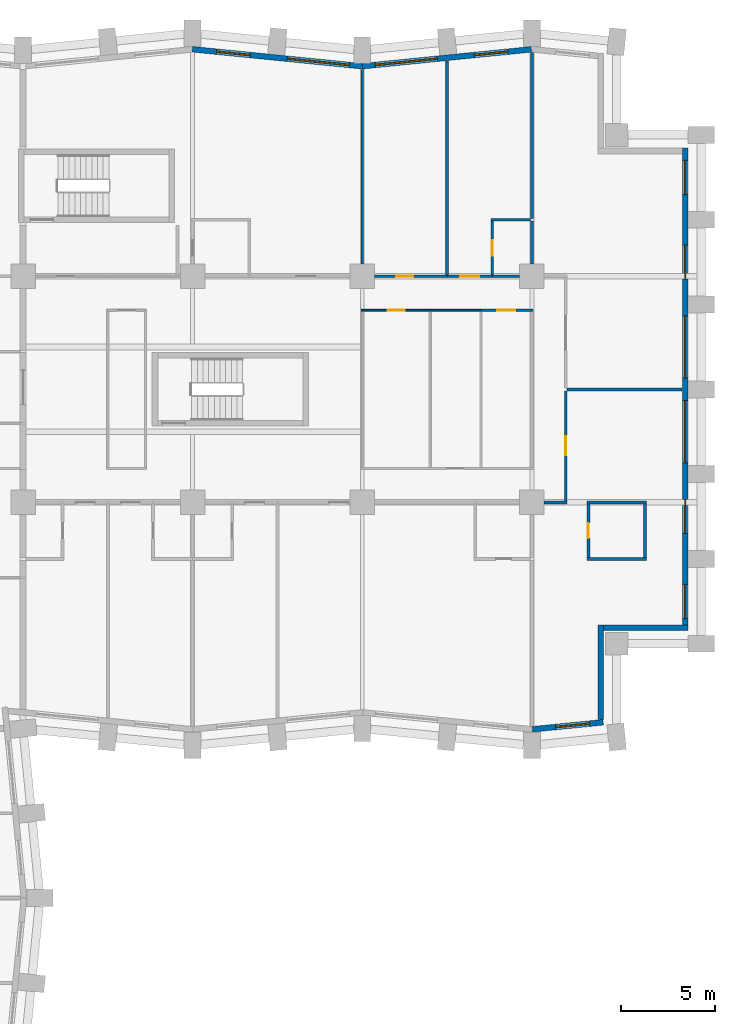
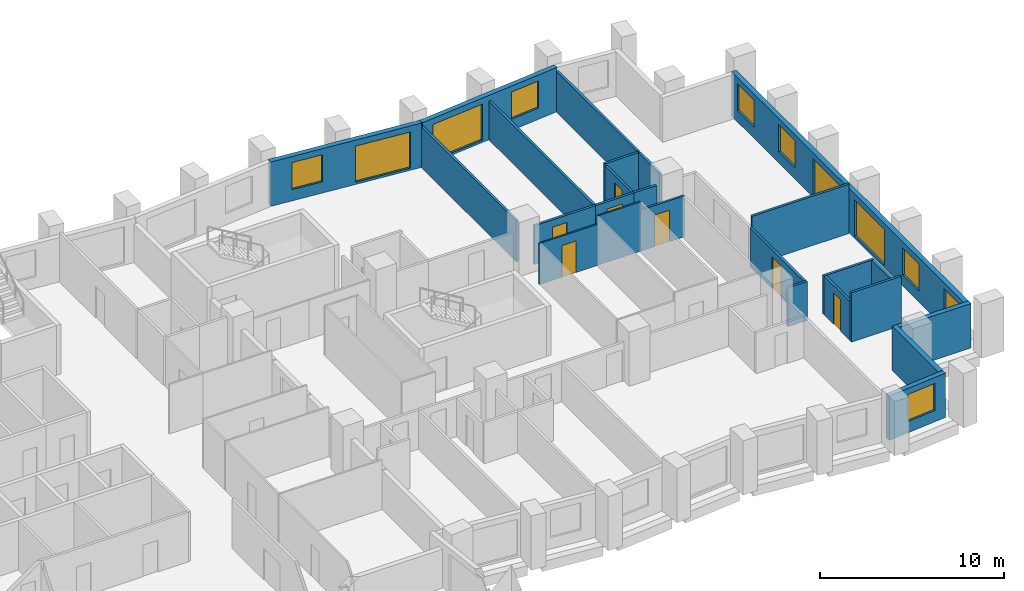
# One storey, part 9 of 12: 25 walls, 11 windows, 7 doors, 18 openings.
"""IFC4 building model written with IfcOpenShell, lengths in metres."""

from ifc_helpers import new_model, si_unit, direction, frame, frame_2d, origin, place, context, subcontext, project, spatial, rectangle, extrude, material, layer, layer_set, type_object, element, fill, save


model = new_model("IFC4")

# Units and contexts
model_context = context("Model", 3, precision=1e-05, world=origin(), true_north=direction((0.0, 1.0)))
body_context = subcontext(model_context, "Body", "Model", "MODEL_VIEW")
ifc_project = project(units=[si_unit("LENGTHUNIT", "METRE"), si_unit("AREAUNIT", "SQUARE_METRE"), si_unit("VOLUMEUNIT", "CUBIC_METRE"), si_unit("PLANEANGLEUNIT", "RADIAN"), si_unit("MASSUNIT", "GRAM", prefix="KILO")], contexts=[model_context])

# Site, building, storey
site_placement = place(None, origin())
site = spatial("IfcSite", under=ifc_project, at=site_placement, CompositionType="ELEMENT")
building_placement = place(site_placement, origin())
building = spatial("IfcBuilding", under=site, at=building_placement, Name="Brondeck Convention Tower", CompositionType="ELEMENT")
storey_placement = place(building_placement, frame((0.0, 0.0, 77.10009765625)))
storey = spatial("IfcBuildingStorey", under=building, at=storey_placement, Name="L17", CompositionType="ELEMENT", Elevation=77.10009765625)

# Wall, opening, window
ifc_material_1 = material(Name="Precast concrete C50/60 bronze finish", Category="concrete")
ifc_layer_1 = layer(ifc_material_1, 0.070068359375, Name="Bronze precast facing")
ifc_material_2 = material(Name="Mineral wool")
ifc_layer_2 = layer(ifc_material_2, 0.159912109375, Name="Insulation")
ifc_material_3 = material(Name="Concrete C35/45", Category="concrete")
ifc_layer_3 = layer(ifc_material_3, 0.070068359375, Name="Backing")
ifc_layer_set_1 = layer_set([ifc_layer_1, ifc_layer_2, ifc_layer_3], Name="External infill wall, precast concrete C50/60 bronze facing")
wall_type_1 = type_object("IfcWallType", Name="External infill wall, precast concrete C50/60 bronze facing", PredefinedType="SOLIDWALL", material=ifc_layer_set_1)
wall_1_placement = place(storey_placement, frame((66.78515625, 27.332763671875, 0.0), z_axis=(0.0, 0.0, 1.0), x_axis=(-0.995038471088, -0.099490909409, 0.0)))
wall_1 = element("IfcWall", 1, at=wall_1_placement, inside=storey, type_object=wall_type_1, Name="ENV-EW-L17-P0-A-S-06", PredefinedType="SOLIDWALL", context=body_context, shape_type="SweptSolid", body=[
    extrude(rectangle(XDim=3.774169921875, YDim=0.300048828125, at=frame_2d((1.88720703125, 0.0))), origin(), (0.0, 0.0, 1.0), 2.949951171875),
])
opening_1_placement = place(wall_1_placement, frame((0.727783203125, 0.0, 0.75)))
opening_1 = element("IfcOpeningElement", 2, at=opening_1_placement, cuts=wall_1, Name="Opening W10", PredefinedType="OPENING", context=body_context, shape_type="SweptSolid", body=[
    extrude(rectangle(XDim=1.800048828125, YDim=1.800048828125, at=frame_2d((0.89990234375, 0.89990234375))), frame((0.0, 0.159912109375, 0.0), z_axis=(0.0, -1.0, 0.0), x_axis=(1.0, 0.0, 0.0)), (0.0, 0.0, 1.0), 0.320068359375),
])
ifc_material_4 = material(Name="Bronze tinted double glazing", Category="glass")
window_type_1 = type_object("IfcWindowType", Name="Punched window, bronze tinted", PartitioningType="SINGLE_PANEL", PredefinedType="WINDOW", material=ifc_material_4)
window_1_placement = place(opening_1_placement, origin())
window_1 = element("IfcWindow", 3, at=window_1_placement, inside=storey, type_object=window_type_1, Name="ENV-WN-L17-P0-A-S-06", OverallHeight=1.800048828125, OverallWidth=1.800048828125, PartitioningType="SINGLE_PANEL", PredefinedType="WINDOW", context=body_context, shape_type="SweptSolid", body=[
    extrude(rectangle(XDim=1.800048828125, YDim=1.800048828125, at=frame_2d((0.89990234375, 0.89990234375))), frame((0.0, 0.030029296875, 0.0), z_axis=(0.0, -1.0, 0.0), x_axis=(1.0, 0.0, 0.0)), (0.0, 0.0, 1.0), 0.06005859375),
])
fill(opening_1, window_1)

# Walls
wall_2_placement = place(storey_placement, frame((66.64990234375, 32.5, 0.0), z_axis=(0.0, 0.0, 1.0), x_axis=(0.0, -1.0, 0.0)))
element("IfcWall", 4, at=wall_2_placement, inside=storey, type_object=wall_type_1, Name="ENV-EW-L17-P0-NC-SEA72-01", PredefinedType="SOLIDWALL", context=body_context, shape_type="SweptSolid", body=[
    extrude(rectangle(XDim=5.02880859375, YDim=0.300048828125, at=frame_2d((2.514404296875, 0.0))), origin(), (0.0, 0.0, 1.0), 2.949951171875),
])
wall_3_placement = place(storey_placement, frame((71.300048828125, 32.35009765625, 0.0), z_axis=(0.0, 0.0, 1.0), x_axis=(-1.0, 0.0, 0.0)))
element("IfcWall", 5, at=wall_3_placement, inside=storey, type_object=wall_type_1, Name="ENV-EW-L17-P0-NC-SEA72-02", PredefinedType="SOLIDWALL", context=body_context, shape_type="SweptSolid", body=[
    extrude(rectangle(XDim=4.5, YDim=0.300048828125, at=frame_2d((2.25, 0.0))), origin(), (0.0, 0.0, 1.0), 2.949951171875),
])

# Wall, openings, windows
wall_4_placement = place(storey_placement, frame((71.14990234375, 57.800048828125, 0.0), z_axis=(0.0, 0.0, 1.0), x_axis=(0.0, -1.0, 0.0)))
wall_4 = element("IfcWall", 6, at=wall_4_placement, inside=storey, type_object=wall_type_1, Name="ENV-EW-L17-P0-A-E72-01", PredefinedType="SOLIDWALL", context=body_context, shape_type="SweptSolid", body=[
    extrude(rectangle(XDim=25.302001953125, YDim=0.300048828125, at=frame_2d((12.65087890625, 0.0))), origin(), (0.0, 0.0, 1.0), 2.949951171875),
])
opening_2_placement = place(wall_4_placement, frame((0.64990234375, 0.0, 0.75)))
opening_2 = element("IfcOpeningElement", 7, at=opening_2_placement, cuts=wall_4, Name="Opening W10", PredefinedType="OPENING", context=body_context, shape_type="SweptSolid", body=[
    extrude(rectangle(XDim=1.800048828125, YDim=1.800048828125, at=frame_2d((0.89990234375, 0.89990234375))), frame((0.0, 0.159912109375, 0.0), z_axis=(0.0, -1.0, 0.0), x_axis=(1.0, 0.0, 0.0)), (0.0, 0.0, 1.0), 0.320068359375),
])
opening_3_placement = place(wall_4_placement, frame((5.14990234375, 0.0, 0.75)))
opening_3 = element("IfcOpeningElement", 8, at=opening_3_placement, cuts=wall_4, Name="Opening W10", PredefinedType="OPENING", context=body_context, shape_type="SweptSolid", body=[
    extrude(rectangle(XDim=1.800048828125, YDim=1.800048828125, at=frame_2d((0.89990234375, 0.89990234375))), frame((0.0, 0.159912109375, 0.0), z_axis=(0.0, -1.0, 0.0), x_axis=(1.0, 0.0, 0.0)), (0.0, 0.0, 1.0), 0.320068359375),
])
opening_4_placement = place(wall_4_placement, frame((8.89990234375, 0.0, 0.14990234375)))
opening_4 = element("IfcOpeningElement", 9, at=opening_4_placement, cuts=wall_4, Name="Opening W9", PredefinedType="OPENING", context=body_context, shape_type="SweptSolid", body=[
    extrude(rectangle(XDim=3.300048828125, YDim=2.39990234375, at=frame_2d((1.64990234375, 1.199951171875))), frame((0.0, 0.159912109375, 0.0), z_axis=(0.0, -1.0, 0.0), x_axis=(1.0, 0.0, 0.0)), (0.0, 0.0, 1.0), 0.320068359375),
])
opening_5_placement = place(wall_4_placement, frame((13.39990234375, 0.0, 0.14990234375)))
opening_5 = element("IfcOpeningElement", 10, at=opening_5_placement, cuts=wall_4, Name="Opening W9", PredefinedType="OPENING", context=body_context, shape_type="SweptSolid", body=[
    extrude(rectangle(XDim=3.300048828125, YDim=2.39990234375, at=frame_2d((1.64990234375, 1.199951171875))), frame((0.0, 0.159912109375, 0.0), z_axis=(0.0, -1.0, 0.0), x_axis=(1.0, 0.0, 0.0)), (0.0, 0.0, 1.0), 0.320068359375),
])
opening_6_placement = place(wall_4_placement, frame((18.64990234375, 0.0, 0.75)))
opening_6 = element("IfcOpeningElement", 11, at=opening_6_placement, cuts=wall_4, Name="Opening W10", PredefinedType="OPENING", context=body_context, shape_type="SweptSolid", body=[
    extrude(rectangle(XDim=1.800048828125, YDim=1.800048828125, at=frame_2d((0.89990234375, 0.89990234375))), frame((0.0, 0.159912109375, 0.0), z_axis=(0.0, -1.0, 0.0), x_axis=(1.0, 0.0, 0.0)), (0.0, 0.0, 1.0), 0.320068359375),
])
opening_7_placement = place(wall_4_placement, frame((23.14990234375, 0.0, 0.75)))
opening_7 = element("IfcOpeningElement", 12, at=opening_7_placement, cuts=wall_4, Name="Opening W10", PredefinedType="OPENING", context=body_context, shape_type="SweptSolid", body=[
    extrude(rectangle(XDim=1.800048828125, YDim=1.800048828125, at=frame_2d((0.89990234375, 0.89990234375))), frame((0.0, 0.159912109375, 0.0), z_axis=(0.0, -1.0, 0.0), x_axis=(1.0, 0.0, 0.0)), (0.0, 0.0, 1.0), 0.320068359375),
])
window_type_2 = type_object("IfcWindowType", Name="Glazed flute window, bronze tinted", PartitioningType="SINGLE_PANEL", PredefinedType="WINDOW", material=ifc_material_4)
window_2_placement = place(opening_4_placement, origin())
window_2 = element("IfcWindow", 13, at=window_2_placement, inside=storey, type_object=window_type_2, Name="ENV-WN-L17-P0-A-E72-04", OverallHeight=2.39990234375, OverallWidth=3.300048828125, PartitioningType="SINGLE_PANEL", PredefinedType="WINDOW", context=body_context, shape_type="SweptSolid", body=[
    extrude(rectangle(XDim=3.300048828125, YDim=2.39990234375, at=frame_2d((1.64990234375, 1.199951171875))), frame((0.0, 0.030029296875, 0.0), z_axis=(0.0, -1.0, 0.0), x_axis=(1.0, 0.0, 0.0)), (0.0, 0.0, 1.0), 0.06005859375),
])
fill(opening_4, window_2)
window_3_placement = place(opening_5_placement, origin())
window_3 = element("IfcWindow", 14, at=window_3_placement, inside=storey, type_object=window_type_2, Name="ENV-WN-L17-P0-A-E72-03", OverallHeight=2.39990234375, OverallWidth=3.300048828125, PartitioningType="SINGLE_PANEL", PredefinedType="WINDOW", context=body_context, shape_type="SweptSolid", body=[
    extrude(rectangle(XDim=3.300048828125, YDim=2.39990234375, at=frame_2d((1.64990234375, 1.199951171875))), frame((0.0, 0.030029296875, 0.0), z_axis=(0.0, -1.0, 0.0), x_axis=(1.0, 0.0, 0.0)), (0.0, 0.0, 1.0), 0.06005859375),
])
fill(opening_5, window_3)
window_4_placement = place(opening_2_placement, origin())
window_4 = element("IfcWindow", 15, at=window_4_placement, inside=storey, type_object=window_type_1, Name="ENV-WN-L17-P0-A-E72-06", OverallHeight=1.800048828125, OverallWidth=1.800048828125, PartitioningType="SINGLE_PANEL", PredefinedType="WINDOW", context=body_context, shape_type="SweptSolid", body=[
    extrude(rectangle(XDim=1.800048828125, YDim=1.800048828125, at=frame_2d((0.89990234375, 0.89990234375))), frame((0.0, 0.030029296875, 0.0), z_axis=(0.0, -1.0, 0.0), x_axis=(1.0, 0.0, 0.0)), (0.0, 0.0, 1.0), 0.06005859375),
])
fill(opening_2, window_4)
window_5_placement = place(opening_3_placement, origin())
window_5 = element("IfcWindow", 16, at=window_5_placement, inside=storey, type_object=window_type_1, Name="ENV-WN-L17-P0-A-E72-05", OverallHeight=1.800048828125, OverallWidth=1.800048828125, PartitioningType="SINGLE_PANEL", PredefinedType="WINDOW", context=body_context, shape_type="SweptSolid", body=[
    extrude(rectangle(XDim=1.800048828125, YDim=1.800048828125, at=frame_2d((0.89990234375, 0.89990234375))), frame((0.0, 0.030029296875, 0.0), z_axis=(0.0, -1.0, 0.0), x_axis=(1.0, 0.0, 0.0)), (0.0, 0.0, 1.0), 0.06005859375),
])
fill(opening_3, window_5)
window_6_placement = place(opening_6_placement, origin())
window_6 = element("IfcWindow", 17, at=window_6_placement, inside=storey, type_object=window_type_1, Name="ENV-WN-L17-P0-A-E72-02", OverallHeight=1.800048828125, OverallWidth=1.800048828125, PartitioningType="SINGLE_PANEL", PredefinedType="WINDOW", context=body_context, shape_type="SweptSolid", body=[
    extrude(rectangle(XDim=1.800048828125, YDim=1.800048828125, at=frame_2d((0.89990234375, 0.89990234375))), frame((0.0, 0.030029296875, 0.0), z_axis=(0.0, -1.0, 0.0), x_axis=(1.0, 0.0, 0.0)), (0.0, 0.0, 1.0), 0.06005859375),
])
fill(opening_6, window_6)
window_7_placement = place(opening_7_placement, origin())
window_7 = element("IfcWindow", 18, at=window_7_placement, inside=storey, type_object=window_type_1, Name="ENV-WN-L17-P0-A-E72-01", OverallHeight=1.800048828125, OverallWidth=1.800048828125, PartitioningType="SINGLE_PANEL", PredefinedType="WINDOW", context=body_context, shape_type="SweptSolid", body=[
    extrude(rectangle(XDim=1.800048828125, YDim=1.800048828125, at=frame_2d((0.89990234375, 0.89990234375))), frame((0.0, 0.030029296875, 0.0), z_axis=(0.0, -1.0, 0.0), x_axis=(1.0, 0.0, 0.0)), (0.0, 0.0, 1.0), 0.06005859375),
])
fill(opening_7, window_7)

wall_5_placement = place(storey_placement, frame((53.985107421875, 62.144287109375, 0.0), z_axis=(0.0, 0.0, 1.0), x_axis=(0.995037993253, 0.099495688264, 0.0)))
wall_5 = element("IfcWall", 19, at=wall_5_placement, inside=storey, type_object=wall_type_1, Name="ENV-EW-L17-P0-A-N-13", PredefinedType="SOLIDWALL", context=body_context, shape_type="SweptSolid", body=[
    extrude(rectangle(XDim=9.030029296875, YDim=0.300048828125, at=frame_2d((4.51513671875, 0.0))), origin(), (0.0, 0.0, 1.0), 2.949951171875),
])
opening_8_placement = place(wall_5_placement, frame((0.711181640625, 0.0, 0.14990234375)))
opening_8 = element("IfcOpeningElement", 20, at=opening_8_placement, cuts=wall_5, Name="Opening W9", PredefinedType="OPENING", context=body_context, shape_type="SweptSolid", body=[
    extrude(rectangle(XDim=3.300048828125, YDim=2.39990234375, at=frame_2d((1.64990234375, 1.199951171875))), frame((0.0, 0.159912109375, 0.0), z_axis=(0.0, -1.0, 0.0), x_axis=(1.0, 0.0, 0.0)), (0.0, 0.0, 1.0), 0.320068359375),
])
opening_9_placement = place(wall_5_placement, frame((5.983642578125, 0.0, 0.75)))
opening_9 = element("IfcOpeningElement", 21, at=opening_9_placement, cuts=wall_5, Name="Opening W10", PredefinedType="OPENING", context=body_context, shape_type="SweptSolid", body=[
    extrude(rectangle(XDim=1.800048828125, YDim=1.800048828125, at=frame_2d((0.89990234375, 0.89990234375))), frame((0.0, 0.159912109375, 0.0), z_axis=(0.0, -1.0, 0.0), x_axis=(1.0, 0.0, 0.0)), (0.0, 0.0, 1.0), 0.320068359375),
])
window_8_placement = place(opening_8_placement, origin())
window_8 = element("IfcWindow", 22, at=window_8_placement, inside=storey, type_object=window_type_2, Name="ENV-WN-L17-P0-A-N-12", OverallHeight=2.39990234375, OverallWidth=3.300048828125, PartitioningType="SINGLE_PANEL", PredefinedType="WINDOW", context=body_context, shape_type="SweptSolid", body=[
    extrude(rectangle(XDim=3.300048828125, YDim=2.39990234375, at=frame_2d((1.64990234375, 1.199951171875))), frame((0.0, 0.030029296875, 0.0), z_axis=(0.0, -1.0, 0.0), x_axis=(1.0, 0.0, 0.0)), (0.0, 0.0, 1.0), 0.06005859375),
])
fill(opening_8, window_8)
window_9_placement = place(opening_9_placement, origin())
window_9 = element("IfcWindow", 23, at=window_9_placement, inside=storey, type_object=window_type_1, Name="ENV-WN-L17-P0-A-N-13", OverallHeight=1.800048828125, OverallWidth=1.800048828125, PartitioningType="SINGLE_PANEL", PredefinedType="WINDOW", context=body_context, shape_type="SweptSolid", body=[
    extrude(rectangle(XDim=1.800048828125, YDim=1.800048828125, at=frame_2d((0.89990234375, 0.89990234375))), frame((0.0, 0.030029296875, 0.0), z_axis=(0.0, -1.0, 0.0), x_axis=(1.0, 0.0, 0.0)), (0.0, 0.0, 1.0), 0.06005859375),
])
fill(opening_9, window_9)

wall_6_placement = place(storey_placement, frame((44.985107421875, 63.04736328125, 0.0), z_axis=(0.0, 0.0, 1.0), x_axis=(0.995035316196, -0.099522457379, 0.0)))
wall_6 = element("IfcWall", 24, at=wall_6_placement, inside=storey, type_object=wall_type_1, Name="ENV-EW-L17-P0-A-N-11", PredefinedType="SOLIDWALL", context=body_context, shape_type="SweptSolid", body=[
    extrude(rectangle(XDim=9.030029296875, YDim=0.300048828125, at=frame_2d((4.51513671875, 0.0))), origin(), (0.0, 0.0, 1.0), 2.949951171875),
])
opening_10_placement = place(wall_6_placement, frame((1.291259765625, 0.0, 0.75)))
opening_10 = element("IfcOpeningElement", 25, at=opening_10_placement, cuts=wall_6, Name="Opening W10", PredefinedType="OPENING", context=body_context, shape_type="SweptSolid", body=[
    extrude(rectangle(XDim=1.800048828125, YDim=1.800048828125, at=frame_2d((0.89990234375, 0.89990234375))), frame((0.0, 0.159912109375, 0.0), z_axis=(0.0, -1.0, 0.0), x_axis=(1.0, 0.0, 0.0)), (0.0, 0.0, 1.0), 0.320068359375),
])
opening_11_placement = place(wall_6_placement, frame((5.063720703125, 0.0, 0.14990234375)))
opening_11 = element("IfcOpeningElement", 26, at=opening_11_placement, cuts=wall_6, Name="Opening W9", PredefinedType="OPENING", context=body_context, shape_type="SweptSolid", body=[
    extrude(rectangle(XDim=3.300048828125, YDim=2.39990234375, at=frame_2d((1.64990234375, 1.199951171875))), frame((0.0, 0.159912109375, 0.0), z_axis=(0.0, -1.0, 0.0), x_axis=(1.0, 0.0, 0.0)), (0.0, 0.0, 1.0), 0.320068359375),
])
window_10_placement = place(opening_11_placement, origin())
window_10 = element("IfcWindow", 27, at=window_10_placement, inside=storey, type_object=window_type_2, Name="ENV-WN-L17-P0-A-N-11", OverallHeight=2.39990234375, OverallWidth=3.300048828125, PartitioningType="SINGLE_PANEL", PredefinedType="WINDOW", context=body_context, shape_type="SweptSolid", body=[
    extrude(rectangle(XDim=3.300048828125, YDim=2.39990234375, at=frame_2d((1.64990234375, 1.199951171875))), frame((0.0, 0.030029296875, 0.0), z_axis=(0.0, -1.0, 0.0), x_axis=(1.0, 0.0, 0.0)), (0.0, 0.0, 1.0), 0.06005859375),
])
fill(opening_11, window_10)
window_11_placement = place(opening_10_placement, origin())
window_11 = element("IfcWindow", 28, at=window_11_placement, inside=storey, type_object=window_type_1, Name="ENV-WN-L17-P0-A-N-10", OverallHeight=1.800048828125, OverallWidth=1.800048828125, PartitioningType="SINGLE_PANEL", PredefinedType="WINDOW", context=body_context, shape_type="SweptSolid", body=[
    extrude(rectangle(XDim=1.800048828125, YDim=1.800048828125, at=frame_2d((0.89990234375, 0.89990234375))), frame((0.0, 0.030029296875, 0.0), z_axis=(0.0, -1.0, 0.0), x_axis=(1.0, 0.0, 0.0)), (0.0, 0.0, 1.0), 0.06005859375),
])
fill(opening_10, window_11)

# Walls
ifc_material_5 = material(Name="Double gypsum board acoustic wall")
ifc_layer_4 = layer(ifc_material_5, 0.14990234375)
ifc_layer_set_2 = layer_set([ifc_layer_4], Name="Guest room party wall 150")
wall_type_2 = type_object("IfcWallType", Name="Guest room party wall 150", PredefinedType="PARTITIONING", material=ifc_layer_set_2)
wall_7_placement = place(storey_placement, frame((65.925048828125, 36.0, 0.0), z_axis=(0.0, 0.0, 1.0), x_axis=(1.0, 0.0, 0.0)))
element("IfcWall", 29, at=wall_7_placement, inside=storey, type_object=wall_type_2, Name="FLR-L17-W055", PredefinedType="PARTITIONING", context=body_context, shape_type="SweptSolid", body=[
    extrude(rectangle(XDim=3.14990234375, YDim=0.14990234375, at=frame_2d((1.574951171875, 0.0))), origin(), (0.0, 0.0, 1.0), 3.27978515625),
])
wall_8_placement = place(storey_placement, frame((69.0, 36.074951171875, 0.0), z_axis=(0.0, 0.0, 1.0), x_axis=(0.0, 1.0, 0.0)))
element("IfcWall", 30, at=wall_8_placement, inside=storey, type_object=wall_type_2, Name="FLR-L17-W058", PredefinedType="PARTITIONING", context=body_context, shape_type="SweptSolid", body=[
    extrude(rectangle(XDim=2.85009765625, YDim=0.14990234375, at=frame_2d((1.425048828125, 0.0))), origin(), (0.0, 0.0, 1.0), 2.579833984375),
])

# Wall, opening, door
wall_9_placement = place(storey_placement, frame((66.0, 38.925048828125, 0.0), z_axis=(0.0, 0.0, 1.0), x_axis=(0.0, -1.0, 0.0)))
wall_9 = element("IfcWall", 31, at=wall_9_placement, inside=storey, type_object=wall_type_2, Name="FLR-L17-W066", PredefinedType="PARTITIONING", context=body_context, shape_type="SweptSolid", body=[
    extrude(rectangle(XDim=2.85009765625, YDim=0.14990234375, at=frame_2d((1.425048828125, 0.0))), origin(), (0.0, 0.0, 1.0), 2.579833984375),
])
opening_12_placement = place(wall_9_placement, frame((1.02490234375, 0.0, 0.0)))
opening_12 = element("IfcOpeningElement", 32, at=opening_12_placement, cuts=wall_9, Name="Opening H5-021", PredefinedType="OPENING", context=body_context, shape_type="SweptSolid", body=[
    extrude(rectangle(XDim=0.800048828125, YDim=2.10009765625, at=frame_2d((0.39990234375, 1.050048828125))), frame((0.0, 0.0849609375, 0.0), z_axis=(0.0, -1.0, 0.0), x_axis=(1.0, 0.0, 0.0)), (0.0, 0.0, 1.0), 0.169921875),
])
ifc_material_6 = material(Name="Solid timber door leaf", Category="wood")
door_type_1 = type_object("IfcDoorType", Name="En-suite door 800", OperationType="NOTDEFINED", PredefinedType="DOOR", material=ifc_material_6)
door_1_placement = place(opening_12_placement, origin())
door_1 = element("IfcDoor", 33, at=door_1_placement, inside=storey, type_object=door_type_1, Name="Door H5-021", OperationType="SINGLE_SWING_RIGHT", OverallHeight=2.10009765625, OverallWidth=0.800048828125, PredefinedType="DOOR", context=body_context, shape_type="SweptSolid", body=[
    extrude(rectangle(XDim=0.800048828125, YDim=2.10009765625, at=frame_2d((0.39990234375, 1.050048828125))), frame((0.0, 0.02490234375, 0.0), z_axis=(0.0, -1.0, 0.0), x_axis=(1.0, 0.0, 0.0)), (0.0, 0.0, 1.0), 0.050048828125),
])
fill(opening_12, door_1)

# Walls
wall_10_placement = place(storey_placement, frame((64.875, 39.0, 0.0), z_axis=(0.0, 0.0, 1.0), x_axis=(-1.0, 0.0, 0.0)))
element("IfcWall", 34, at=wall_10_placement, inside=storey, type_object=wall_type_2, Name="FLR-L17-W076", PredefinedType="PARTITIONING", context=body_context, shape_type="SweptSolid", body=[
    extrude(rectangle(XDim=1.219970703125, YDim=0.14990234375, at=frame_2d((0.60986328125, 0.0))), origin(), (0.0, 0.0, 1.0), 2.579833984375),
])
wall_11_placement = place(storey_placement, frame((69.074951171875, 39.0, 0.0), z_axis=(0.0, 0.0, 1.0), x_axis=(-1.0, 0.0, 0.0)))
element("IfcWall", 35, at=wall_11_placement, inside=storey, type_object=wall_type_2, Name="FLR-L17-W077", PredefinedType="PARTITIONING", context=body_context, shape_type="SweptSolid", body=[
    extrude(rectangle(XDim=3.14990234375, YDim=0.14990234375, at=frame_2d((1.574951171875, 0.0))), origin(), (0.0, 0.0, 1.0), 2.579833984375),
])

# Wall, opening, door
wall_12_placement = place(storey_placement, frame((64.800048828125, 44.925048828125, 0.0), z_axis=(0.0, 0.0, 1.0), x_axis=(0.0, -1.0, 0.0)))
wall_12 = element("IfcWall", 36, at=wall_12_placement, inside=storey, type_object=wall_type_2, Name="FLR-L17-W089", PredefinedType="PARTITIONING", context=body_context, shape_type="SweptSolid", body=[
    extrude(rectangle(XDim=5.85009765625, YDim=0.14990234375, at=frame_2d((2.925048828125, 0.0))), origin(), (0.0, 0.0, 1.0), 2.579833984375),
])
opening_13_placement = place(wall_12_placement, frame((2.425048828125, 0.0, 0.0)))
opening_13 = element("IfcOpeningElement", 37, at=opening_13_placement, cuts=wall_12, Name="Opening H5-020", PredefinedType="OPENING", context=body_context, shape_type="SweptSolid", body=[
    extrude(rectangle(XDim=1.0, YDim=2.10009765625, at=frame_2d((0.5, 1.050048828125))), frame((0.0, 0.0849609375, 0.0), z_axis=(0.0, -1.0, 0.0), x_axis=(1.0, 0.0, 0.0)), (0.0, 0.0, 1.0), 0.169921875),
])
ifc_material_7 = material(Name="Solid timber fire door leaf", Category="wood")
door_type_2 = type_object("IfcDoorType", Name="Guest room door 1000", OperationType="NOTDEFINED", PredefinedType="DOOR", material=ifc_material_7)
door_2_placement = place(opening_13_placement, origin())
door_2 = element("IfcDoor", 38, at=door_2_placement, inside=storey, type_object=door_type_2, Name="Door H5-020", OperationType="SINGLE_SWING_LEFT", OverallHeight=2.10009765625, OverallWidth=1.0, PredefinedType="DOOR", context=body_context, shape_type="SweptSolid", body=[
    extrude(rectangle(XDim=1.0, YDim=2.10009765625, at=frame_2d((0.5, 1.050048828125))), frame((0.0, 0.02490234375, 0.0), z_axis=(0.0, -1.0, 0.0), x_axis=(1.0, 0.0, 0.0)), (0.0, 0.0, 1.0), 0.050048828125),
])
fill(opening_13, door_2)

# Wall
wall_13_placement = place(storey_placement, frame((70.97998046875, 45.0, 0.0), z_axis=(0.0, 0.0, 1.0), x_axis=(-1.0, 0.0, 0.0)))
element("IfcWall", 39, at=wall_13_placement, inside=storey, type_object=wall_type_2, Name="FLR-L17-W090", PredefinedType="PARTITIONING", context=body_context, shape_type="SweptSolid", body=[
    extrude(rectangle(XDim=6.10498046875, YDim=0.14990234375, at=frame_2d((3.052490234375, 0.0))), origin(), (0.0, 0.0, 1.0), 3.27978515625),
])

# Wall, opening, door
wall_14_placement = place(storey_placement, frame((54.655029296875, 51.0, 0.0), z_axis=(0.0, 0.0, 1.0), x_axis=(1.0, 0.0, 0.0)))
wall_14 = element("IfcWall", 40, at=wall_14_placement, inside=storey, type_object=wall_type_2, Name="FLR-L17-W112", PredefinedType="PARTITIONING", context=body_context, shape_type="SweptSolid", body=[
    extrude(rectangle(XDim=3.844970703125, YDim=0.14990234375, at=frame_2d((1.92236328125, 0.0))), origin(), (0.0, 0.0, 1.0), 2.579833984375),
])
opening_14_placement = place(wall_14_placement, frame((1.14501953125, 0.0, 0.0)))
opening_14 = element("IfcOpeningElement", 41, at=opening_14_placement, cuts=wall_14, Name="Opening H5-004", PredefinedType="OPENING", context=body_context, shape_type="SweptSolid", body=[
    extrude(rectangle(XDim=0.89990234375, YDim=2.10009765625, at=frame_2d((0.449951171875, 1.050048828125))), frame((0.0, 0.0849609375, 0.0), z_axis=(0.0, -1.0, 0.0), x_axis=(1.0, 0.0, 0.0)), (0.0, 0.0, 1.0), 0.169921875),
])
door_type_3 = type_object("IfcDoorType", Name="Single door 900", OperationType="NOTDEFINED", PredefinedType="DOOR", material=ifc_material_6)
door_3_placement = place(opening_14_placement, origin())
door_3 = element("IfcDoor", 42, at=door_3_placement, inside=storey, type_object=door_type_3, Name="Door H5-004", OperationType="SINGLE_SWING_LEFT", OverallHeight=2.10009765625, OverallWidth=0.89990234375, PredefinedType="DOOR", context=body_context, shape_type="SweptSolid", body=[
    extrude(rectangle(XDim=0.89990234375, YDim=2.10009765625, at=frame_2d((0.449951171875, 1.050048828125))), frame((0.0, 0.02490234375, 0.0), z_axis=(0.0, -1.0, 0.0), x_axis=(1.0, 0.0, 0.0)), (0.0, 0.0, 1.0), 0.050048828125),
])
fill(opening_14, door_3)

wall_15_placement = place(storey_placement, frame((58.5, 51.0, 0.0), z_axis=(0.0, 0.0, 1.0), x_axis=(1.0, 0.0, 0.0)))
wall_15 = element("IfcWall", 43, at=wall_15_placement, inside=storey, type_object=wall_type_2, Name="FLR-L17-W113", PredefinedType="PARTITIONING", context=body_context, shape_type="SweptSolid", body=[
    extrude(rectangle(XDim=2.39990234375, YDim=0.14990234375, at=frame_2d((1.199951171875, 0.0))), origin(), (0.0, 0.0, 1.0), 2.579833984375),
])
opening_15_placement = place(wall_15_placement, frame((0.699951171875, 0.0, 0.0)))
opening_15 = element("IfcOpeningElement", 44, at=opening_15_placement, cuts=wall_15, Name="Opening H5-005", PredefinedType="OPENING", context=body_context, shape_type="SweptSolid", body=[
    extrude(rectangle(XDim=1.0, YDim=2.10009765625, at=frame_2d((0.5, 1.050048828125))), frame((0.0, 0.0849609375, 0.0), z_axis=(0.0, -1.0, 0.0), x_axis=(1.0, 0.0, 0.0)), (0.0, 0.0, 1.0), 0.169921875),
])
door_4_placement = place(opening_15_placement, origin())
door_4 = element("IfcDoor", 45, at=door_4_placement, inside=storey, type_object=door_type_2, Name="Door H5-005", OperationType="SINGLE_SWING_LEFT", OverallHeight=2.10009765625, OverallWidth=1.0, PredefinedType="DOOR", context=body_context, shape_type="SweptSolid", body=[
    extrude(rectangle(XDim=1.0, YDim=2.10009765625, at=frame_2d((0.5, 1.050048828125))), frame((0.0, 0.02490234375, 0.0), z_axis=(0.0, -1.0, 0.0), x_axis=(1.0, 0.0, 0.0)), (0.0, 0.0, 1.0), 0.050048828125),
])
fill(opening_15, door_4)

# Wall
wall_16_placement = place(storey_placement, frame((60.89990234375, 51.0, 0.0), z_axis=(0.0, 0.0, 1.0), x_axis=(1.0, 0.0, 0.0)))
element("IfcWall", 46, at=wall_16_placement, inside=storey, type_object=wall_type_2, Name="FLR-L17-W114", PredefinedType="PARTITIONING", context=body_context, shape_type="SweptSolid", body=[
    extrude(rectangle(XDim=1.445068359375, YDim=0.14990234375, at=frame_2d((0.72265625, 0.0))), origin(), (0.0, 0.0, 1.0), 2.579833984375),
])

# Wall, opening, door
wall_17_placement = place(storey_placement, frame((60.89990234375, 53.925048828125, 0.0), z_axis=(0.0, 0.0, 1.0), x_axis=(0.0, -1.0, 0.0)))
wall_17 = element("IfcWall", 47, at=wall_17_placement, inside=storey, type_object=wall_type_2, Name="FLR-L17-W122", PredefinedType="PARTITIONING", context=body_context, shape_type="SweptSolid", body=[
    extrude(rectangle(XDim=2.85009765625, YDim=0.14990234375, at=frame_2d((1.425048828125, 0.0))), origin(), (0.0, 0.0, 1.0), 2.579833984375),
])
opening_16_placement = place(wall_17_placement, frame((1.02490234375, 0.0, 0.0)))
opening_16 = element("IfcOpeningElement", 48, at=opening_16_placement, cuts=wall_17, Name="Opening H5-006", PredefinedType="OPENING", context=body_context, shape_type="SweptSolid", body=[
    extrude(rectangle(XDim=0.800048828125, YDim=2.10009765625, at=frame_2d((0.39990234375, 1.050048828125))), frame((0.0, 0.0849609375, 0.0), z_axis=(0.0, -1.0, 0.0), x_axis=(1.0, 0.0, 0.0)), (0.0, 0.0, 1.0), 0.169921875),
])
door_5_placement = place(opening_16_placement, origin())
door_5 = element("IfcDoor", 49, at=door_5_placement, inside=storey, type_object=door_type_1, Name="Door H5-006", OperationType="SINGLE_SWING_LEFT", OverallHeight=2.10009765625, OverallWidth=0.800048828125, PredefinedType="DOOR", context=body_context, shape_type="SweptSolid", body=[
    extrude(rectangle(XDim=0.800048828125, YDim=2.10009765625, at=frame_2d((0.39990234375, 1.050048828125))), frame((0.0, 0.02490234375, 0.0), z_axis=(0.0, -1.0, 0.0), x_axis=(1.0, 0.0, 0.0)), (0.0, 0.0, 1.0), 0.050048828125),
])
fill(opening_16, door_5)

# Walls
wall_18_placement = place(storey_placement, frame((63.0, 53.925048828125, 0.0), z_axis=(0.0, 0.0, 1.0), x_axis=(0.0, -1.0, 0.0)))
element("IfcWall", 50, at=wall_18_placement, inside=storey, type_object=wall_type_2, Name="FLR-L17-W123", PredefinedType="PARTITIONING", context=body_context, shape_type="SweptSolid", body=[
    extrude(rectangle(XDim=2.27001953125, YDim=0.14990234375, at=frame_2d((1.135009765625, 0.0))), origin(), (0.0, 0.0, 1.0), 2.72998046875),
])
wall_19_placement = place(storey_placement, frame((62.925048828125, 54.0, 0.0), z_axis=(0.0, 0.0, 1.0), x_axis=(-1.0, 0.0, 0.0)))
element("IfcWall", 51, at=wall_19_placement, inside=storey, type_object=wall_type_2, Name="FLR-L17-W126", PredefinedType="PARTITIONING", context=body_context, shape_type="SweptSolid", body=[
    extrude(rectangle(XDim=2.10009765625, YDim=0.14990234375, at=frame_2d((1.050048828125, 0.0))), origin(), (0.0, 0.0, 1.0), 2.72998046875),
])
wall_20_placement = place(storey_placement, frame((54.0, 61.97509765625, 0.0), z_axis=(0.0, 0.0, 1.0), x_axis=(0.0, -1.0, 0.0)))
element("IfcWall", 52, at=wall_20_placement, inside=storey, type_object=wall_type_2, Name="FLR-L17-W128", PredefinedType="PARTITIONING", context=body_context, shape_type="SweptSolid", body=[
    extrude(rectangle(XDim=10.320068359375, YDim=0.14990234375, at=frame_2d((5.16015625, 0.0))), origin(), (0.0, 0.0, 1.0), 2.72998046875),
])
wall_21_placement = place(storey_placement, frame((58.5, 62.425048828125, 0.0), z_axis=(0.0, 0.0, 1.0), x_axis=(0.0, -1.0, 0.0)))
element("IfcWall", 53, at=wall_21_placement, inside=storey, type_object=wall_type_2, Name="FLR-L17-W130", PredefinedType="PARTITIONING", context=body_context, shape_type="SweptSolid", body=[
    extrude(rectangle(XDim=11.35009765625, YDim=0.14990234375, at=frame_2d((5.675048828125, 0.0))), origin(), (0.0, 0.0, 1.0), 2.579833984375),
])
wall_22_placement = place(storey_placement, frame((63.0, 62.875, 0.0), z_axis=(0.0, 0.0, 1.0), x_axis=(0.0, -1.0, 0.0)))
element("IfcWall", 54, at=wall_22_placement, inside=storey, type_object=wall_type_2, Name="FLR-L17-W131", PredefinedType="PARTITIONING", context=body_context, shape_type="SweptSolid", body=[
    extrude(rectangle(XDim=8.800048828125, YDim=0.14990234375, at=frame_2d((4.39990234375, 0.0))), origin(), (0.0, 0.0, 1.0), 2.72998046875),
])

# Wall, opening, door
ifc_material_8 = material(Name="Gypsum board shaft wall on steel studs", Category="steel")
ifc_layer_5 = layer(ifc_material_8, 0.125)
ifc_layer_set_3 = layer_set([ifc_layer_5], Name="Riser wall 125")
wall_type_3 = type_object("IfcWallType", Name="Riser wall 125", PredefinedType="PARTITIONING", material=ifc_layer_set_3)
wall_23_placement = place(storey_placement, frame((63.0625, 49.199951171875, 0.0), z_axis=(0.0, 0.0, 1.0), x_axis=(-1.0, 0.0, 0.0)))
wall_23 = element("IfcWall", 55, at=wall_23_placement, inside=storey, type_object=wall_type_3, Name="FLR-L17-W102", PredefinedType="PARTITIONING", context=body_context, shape_type="SweptSolid", body=[
    extrude(rectangle(XDim=2.762451171875, YDim=0.125, at=frame_2d((1.38134765625, 0.0))), origin(), (0.0, 0.0, 1.0), 2.72998046875),
])
opening_17_placement = place(wall_23_placement, frame((0.9375, 0.0, 0.0)))
opening_17 = element("IfcOpeningElement", 56, at=opening_17_placement, cuts=wall_23, Name="Opening H5-018", PredefinedType="OPENING", context=body_context, shape_type="SweptSolid", body=[
    extrude(rectangle(XDim=0.949951171875, YDim=2.10009765625, at=frame_2d((0.47509765625, 1.050048828125))), frame((0.0, 0.072509765625, 0.0), z_axis=(0.0, -1.0, 0.0), x_axis=(1.0, 0.0, 0.0)), (0.0, 0.0, 1.0), 0.14501953125),
])
door_type_4 = type_object("IfcDoorType", Name="Accessible door 950", OperationType="NOTDEFINED", PredefinedType="DOOR", material=ifc_material_6)
door_6_placement = place(opening_17_placement, origin())
door_6 = element("IfcDoor", 57, at=door_6_placement, inside=storey, type_object=door_type_4, Name="Door H5-018", OperationType="SINGLE_SWING_LEFT", OverallHeight=2.10009765625, OverallWidth=0.949951171875, PredefinedType="DOOR", context=body_context, shape_type="SweptSolid", body=[
    extrude(rectangle(XDim=0.949951171875, YDim=2.10009765625, at=frame_2d((0.47509765625, 1.050048828125))), frame((0.0, 0.02490234375, 0.0), z_axis=(0.0, -1.0, 0.0), x_axis=(1.0, 0.0, 0.0)), (0.0, 0.0, 1.0), 0.050048828125),
])
fill(opening_17, door_6)

ifc_material_9 = material(Name="Gypsum board partition on steel studs", Category="steel")
ifc_layer_6 = layer(ifc_material_9, 0.10009765625)
ifc_layer_set_4 = layer_set([ifc_layer_6], Name="Room partition 100")
wall_type_4 = type_object("IfcWallType", Name="Room partition 100", PredefinedType="PARTITIONING", material=ifc_layer_set_4)
wall_24_placement = place(storey_placement, frame((57.60009765625, 49.199951171875, 0.0), z_axis=(0.0, 0.0, 1.0), x_axis=(-1.0, 0.0, 0.0)))
wall_24 = element("IfcWall", 58, at=wall_24_placement, inside=storey, type_object=wall_type_4, Name="FLR-L17-W100", PredefinedType="PARTITIONING", context=body_context, shape_type="SweptSolid", body=[
    extrude(rectangle(XDim=3.650146484375, YDim=0.10009765625, at=frame_2d((1.8251953125, 0.0))), origin(), (0.0, 0.0, 1.0), 2.72998046875),
])
opening_18_placement = place(wall_24_placement, frame((1.35009765625, 0.0, 0.0)))
opening_18 = element("IfcOpeningElement", 59, at=opening_18_placement, cuts=wall_24, Name="Opening H5-016", PredefinedType="OPENING", context=body_context, shape_type="SweptSolid", body=[
    extrude(rectangle(XDim=0.89990234375, YDim=2.10009765625, at=frame_2d((0.449951171875, 1.050048828125))), frame((0.0, 0.06005859375, 0.0), z_axis=(0.0, -1.0, 0.0), x_axis=(1.0, 0.0, 0.0)), (0.0, 0.0, 1.0), 0.1201171875),
])
door_7_placement = place(opening_18_placement, origin())
door_7 = element("IfcDoor", 60, at=door_7_placement, inside=storey, type_object=door_type_3, Name="Door H5-016", OperationType="SINGLE_SWING_RIGHT", OverallHeight=2.10009765625, OverallWidth=0.89990234375, PredefinedType="DOOR", context=body_context, shape_type="SweptSolid", body=[
    extrude(rectangle(XDim=0.89990234375, YDim=2.10009765625, at=frame_2d((0.449951171875, 1.050048828125))), frame((0.0, 0.02490234375, 0.0), z_axis=(0.0, -1.0, 0.0), x_axis=(1.0, 0.0, 0.0)), (0.0, 0.0, 1.0), 0.050048828125),
])
fill(opening_18, door_7)

# Wall
wall_25_placement = place(storey_placement, frame((60.300048828125, 49.199951171875, 0.0), z_axis=(0.0, 0.0, 1.0), x_axis=(-1.0, 0.0, 0.0)))
element("IfcWall", 61, at=wall_25_placement, inside=storey, type_object=wall_type_4, Name="FLR-L17-W101", PredefinedType="PARTITIONING", context=body_context, shape_type="SweptSolid", body=[
    extrude(rectangle(XDim=2.699951171875, YDim=0.10009765625, at=frame_2d((1.35009765625, 0.0))), origin(), (0.0, 0.0, 1.0), 3.27978515625),
])

save(model, "model.ifc")
